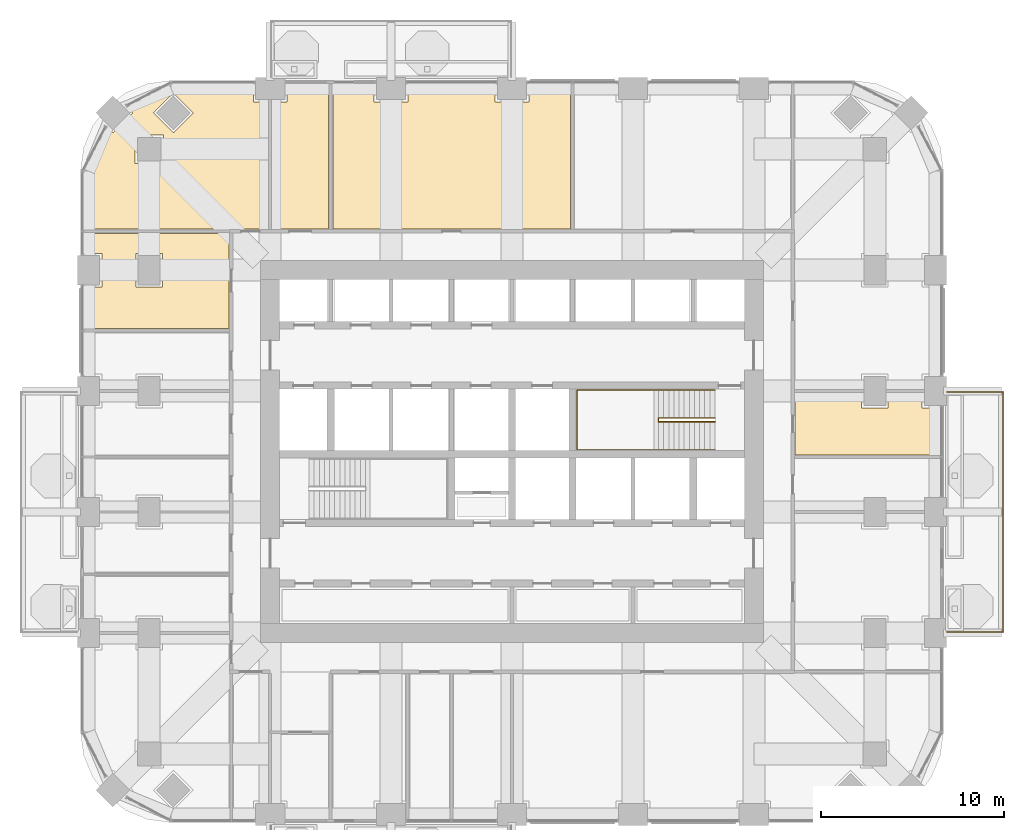
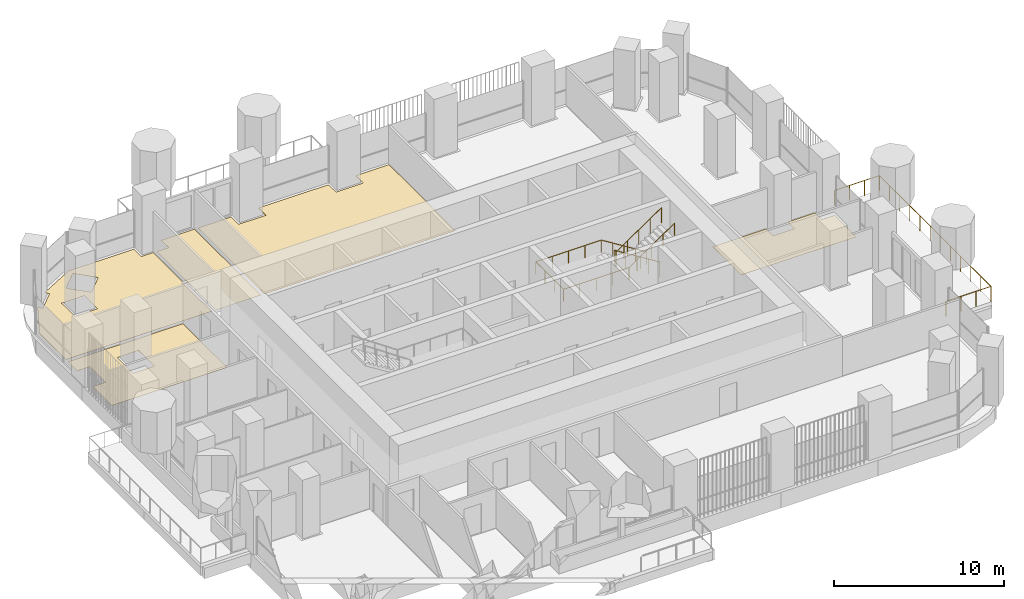
# One storey, part 17 of 19: 5 coverings, 3 railings.
"""IFC4 building model written with IfcOpenShell, lengths in metres."""

from ifc_helpers import new_model, si_unit, direction, frame, origin, place, context, subcontext, project, spatial, polyline, outline, extrude, material, layer, layer_set, type_object, element, save


model = new_model("IFC4")

# Units and contexts
model_context = context("Model", 3, precision=1e-05, world=origin(), true_north=direction((0.0, 1.0)))
body_context = subcontext(model_context, "Body", "Model", "MODEL_VIEW")
ifc_project = project(units=[si_unit("LENGTHUNIT", "METRE"), si_unit("AREAUNIT", "SQUARE_METRE"), si_unit("VOLUMEUNIT", "CUBIC_METRE"), si_unit("PLANEANGLEUNIT", "RADIAN"), si_unit("MASSUNIT", "GRAM", prefix="KILO")], contexts=[model_context])

# Site, building, storey
site_placement = place(None, origin())
site = spatial("IfcSite", under=ifc_project, at=site_placement, CompositionType="ELEMENT")
building_placement = place(site_placement, origin())
building = spatial("IfcBuilding", under=site, at=building_placement, Name="Cobogo Forest Laboratory Tower", CompositionType="ELEMENT")
storey_placement = place(building_placement, frame((0.0, 0.0, 159.89990234375)))
storey = spatial("IfcBuildingStorey", under=building, at=storey_placement, Name="L36", CompositionType="ELEMENT", Elevation=159.89990234375)

# Railing
ifc_material_1 = material(Name="Laminated glass balustrade", Category="glass")
railing_type_1 = type_object("IfcRailingType", Name="BG1 glass balustrade 1100", PredefinedType="GUARDRAIL", material=ifc_material_1)
railing_1_placement = place(storey_placement, frame((50.14990234375, 13.25, 0.0)))
element("IfcRailing", 1, at=railing_1_placement, inside=storey, type_object=railing_type_1, Name="Balcony balustrade BAL-E1 L36", PredefinedType="GUARDRAIL", context=body_context, shape_type="SweptSolid", body=[
    extrude(outline(polyline([(0.022216796875, 0.00927734375), (0.00927734375, 0.022216796875), (-0.00927734375, 0.022216796875), (-0.022216796875, 0.00927734375), (-0.022216796875, -0.00927734375), (-0.00927734375, -0.022216796875), (0.00927734375, -0.022216796875), (0.022216796875, -0.00927734375), (0.022216796875, 0.00927734375)])), frame((0.0, 0.0, 1.077880859375), z_axis=(1.0, 0.0, 0.0), x_axis=(0.0, 1.0, 0.0)), (0.0, 0.0, 1.0), 3.050048828125),
    extrude(outline(polyline([(0.022216796875, 0.00927734375), (0.00927734375, 0.022216796875), (-0.00927734375, 0.022216796875), (-0.022216796875, 0.00927734375), (-0.022216796875, -0.00927734375), (-0.00927734375, -0.022216796875), (0.00927734375, -0.022216796875), (0.022216796875, -0.00927734375), (0.022216796875, 0.00927734375)])), frame((3.050048828125, 0.0, 1.077880859375), z_axis=(0.0, 1.0, 0.0), x_axis=(-1.0, 0.0, 0.0)), (0.0, 0.0, 1.0), 13.10009765625),
    extrude(outline(polyline([(0.022216796875, 0.00927734375), (0.00927734375, 0.022216796875), (-0.00927734375, 0.022216796875), (-0.022216796875, 0.00927734375), (-0.022216796875, -0.00927734375), (-0.00927734375, -0.022216796875), (0.00927734375, -0.022216796875), (0.022216796875, -0.00927734375), (0.022216796875, 0.00927734375)])), frame((3.050048828125, 13.10009765625, 1.077880859375), z_axis=(-1.0, 0.0, 0.0), x_axis=(0.0, -1.0, 0.0)), (0.0, 0.0, 1.0), 3.050048828125),
    extrude(outline(polyline([(0.019287109375, 0.008056640625), (0.008056640625, 0.019287109375), (-0.008056640625, 0.019287109375), (-0.019287109375, 0.008056640625), (-0.019287109375, -0.008056640625), (-0.008056640625, -0.019287109375), (0.008056640625, -0.019287109375), (0.019287109375, -0.008056640625), (0.019287109375, 0.008056640625)])), origin(), (0.0, 0.0, 1.0), 1.077880859375),
    extrude(outline(polyline([(0.019287109375, 0.008056640625), (0.008056640625, 0.019287109375), (-0.008056640625, 0.019287109375), (-0.019287109375, 0.008056640625), (-0.019287109375, -0.008056640625), (-0.008056640625, -0.019287109375), (0.008056640625, -0.019287109375), (0.019287109375, -0.008056640625), (0.019287109375, 0.008056640625)])), frame((1.0166015625, 0.0, 0.0)), (0.0, 0.0, 1.0), 1.077880859375),
    extrude(outline(polyline([(0.019287109375, 0.008056640625), (0.008056640625, 0.019287109375), (-0.008056640625, 0.019287109375), (-0.019287109375, 0.008056640625), (-0.019287109375, -0.008056640625), (-0.008056640625, -0.019287109375), (0.008056640625, -0.019287109375), (0.019287109375, -0.008056640625), (0.019287109375, 0.008056640625)])), frame((2.033447265625, 0.0, 0.0)), (0.0, 0.0, 1.0), 1.077880859375),
    extrude(outline(polyline([(0.019287109375, 0.008056640625), (0.008056640625, 0.019287109375), (-0.008056640625, 0.019287109375), (-0.019287109375, 0.008056640625), (-0.019287109375, -0.008056640625), (-0.008056640625, -0.019287109375), (0.008056640625, -0.019287109375), (0.019287109375, -0.008056640625), (0.019287109375, 0.008056640625)])), frame((3.050048828125, 0.0, 0.0)), (0.0, 0.0, 1.0), 1.077880859375),
    extrude(outline(polyline([(0.019287109375, 0.008056640625), (0.008056640625, 0.019287109375), (-0.008056640625, 0.019287109375), (-0.019287109375, 0.008056640625), (-0.019287109375, -0.008056640625), (-0.008056640625, -0.019287109375), (0.008056640625, -0.019287109375), (0.019287109375, -0.008056640625), (0.019287109375, 0.008056640625)])), frame((3.050048828125, 1.19091796875, 0.0)), (0.0, 0.0, 1.0), 1.077880859375),
    extrude(outline(polyline([(0.019287109375, 0.008056640625), (0.008056640625, 0.019287109375), (-0.008056640625, 0.019287109375), (-0.019287109375, 0.008056640625), (-0.019287109375, -0.008056640625), (-0.008056640625, -0.019287109375), (0.008056640625, -0.019287109375), (0.019287109375, -0.008056640625), (0.019287109375, 0.008056640625)])), frame((3.050048828125, 2.3818359375, 0.0)), (0.0, 0.0, 1.0), 1.077880859375),
    extrude(outline(polyline([(0.019287109375, 0.008056640625), (0.008056640625, 0.019287109375), (-0.008056640625, 0.019287109375), (-0.019287109375, 0.008056640625), (-0.019287109375, -0.008056640625), (-0.008056640625, -0.019287109375), (0.008056640625, -0.019287109375), (0.019287109375, -0.008056640625), (0.019287109375, 0.008056640625)])), frame((3.050048828125, 3.57275390625, 0.0)), (0.0, 0.0, 1.0), 1.077880859375),
    extrude(outline(polyline([(0.019287109375, 0.008056640625), (0.008056640625, 0.019287109375), (-0.008056640625, 0.019287109375), (-0.019287109375, 0.008056640625), (-0.019287109375, -0.008056640625), (-0.008056640625, -0.019287109375), (0.008056640625, -0.019287109375), (0.019287109375, -0.008056640625), (0.019287109375, 0.008056640625)])), frame((3.050048828125, 4.763671875, 0.0)), (0.0, 0.0, 1.0), 1.077880859375),
    extrude(outline(polyline([(0.019287109375, 0.008056640625), (0.008056640625, 0.019287109375), (-0.008056640625, 0.019287109375), (-0.019287109375, 0.008056640625), (-0.019287109375, -0.008056640625), (-0.008056640625, -0.019287109375), (0.008056640625, -0.019287109375), (0.019287109375, -0.008056640625), (0.019287109375, 0.008056640625)])), frame((3.050048828125, 5.95458984375, 0.0)), (0.0, 0.0, 1.0), 1.077880859375),
    extrude(outline(polyline([(0.019287109375, 0.008056640625), (0.008056640625, 0.019287109375), (-0.008056640625, 0.019287109375), (-0.019287109375, 0.008056640625), (-0.019287109375, -0.008056640625), (-0.008056640625, -0.019287109375), (0.008056640625, -0.019287109375), (0.019287109375, -0.008056640625), (0.019287109375, 0.008056640625)])), frame((3.050048828125, 7.1455078125, 0.0)), (0.0, 0.0, 1.0), 1.077880859375),
    extrude(outline(polyline([(0.019287109375, 0.008056640625), (0.008056640625, 0.019287109375), (-0.008056640625, 0.019287109375), (-0.019287109375, 0.008056640625), (-0.019287109375, -0.008056640625), (-0.008056640625, -0.019287109375), (0.008056640625, -0.019287109375), (0.019287109375, -0.008056640625), (0.019287109375, 0.008056640625)])), frame((3.050048828125, 8.33642578125, 0.0)), (0.0, 0.0, 1.0), 1.077880859375),
    extrude(outline(polyline([(0.019287109375, 0.008056640625), (0.008056640625, 0.019287109375), (-0.008056640625, 0.019287109375), (-0.019287109375, 0.008056640625), (-0.019287109375, -0.008056640625), (-0.008056640625, -0.019287109375), (0.008056640625, -0.019287109375), (0.019287109375, -0.008056640625), (0.019287109375, 0.008056640625)])), frame((3.050048828125, 9.52734375, 0.0)), (0.0, 0.0, 1.0), 1.077880859375),
    extrude(outline(polyline([(0.019287109375, 0.008056640625), (0.008056640625, 0.019287109375), (-0.008056640625, 0.019287109375), (-0.019287109375, 0.008056640625), (-0.019287109375, -0.008056640625), (-0.008056640625, -0.019287109375), (0.008056640625, -0.019287109375), (0.019287109375, -0.008056640625), (0.019287109375, 0.008056640625)])), frame((3.050048828125, 10.71826171875, 0.0)), (0.0, 0.0, 1.0), 1.077880859375),
    extrude(outline(polyline([(0.019287109375, 0.008056640625), (0.008056640625, 0.019287109375), (-0.008056640625, 0.019287109375), (-0.019287109375, 0.008056640625), (-0.019287109375, -0.008056640625), (-0.008056640625, -0.019287109375), (0.008056640625, -0.019287109375), (0.019287109375, -0.008056640625), (0.019287109375, 0.008056640625)])), frame((3.050048828125, 11.9091796875, 0.0)), (0.0, 0.0, 1.0), 1.077880859375),
    extrude(outline(polyline([(0.019287109375, 0.008056640625), (0.008056640625, 0.019287109375), (-0.008056640625, 0.019287109375), (-0.019287109375, 0.008056640625), (-0.019287109375, -0.008056640625), (-0.008056640625, -0.019287109375), (0.008056640625, -0.019287109375), (0.019287109375, -0.008056640625), (0.019287109375, 0.008056640625)])), frame((3.050048828125, 13.10009765625, 0.0)), (0.0, 0.0, 1.0), 1.077880859375),
    extrude(outline(polyline([(0.019287109375, 0.008056640625), (0.008056640625, 0.019287109375), (-0.008056640625, 0.019287109375), (-0.019287109375, 0.008056640625), (-0.019287109375, -0.008056640625), (-0.008056640625, -0.019287109375), (0.008056640625, -0.019287109375), (0.019287109375, -0.008056640625), (0.019287109375, 0.008056640625)])), frame((2.033447265625, 13.10009765625, 0.0)), (0.0, 0.0, 1.0), 1.077880859375),
    extrude(outline(polyline([(0.019287109375, 0.008056640625), (0.008056640625, 0.019287109375), (-0.008056640625, 0.019287109375), (-0.019287109375, 0.008056640625), (-0.019287109375, -0.008056640625), (-0.008056640625, -0.019287109375), (0.008056640625, -0.019287109375), (0.019287109375, -0.008056640625), (0.019287109375, 0.008056640625)])), frame((1.0166015625, 13.10009765625, 0.0)), (0.0, 0.0, 1.0), 1.077880859375),
    extrude(outline(polyline([(0.019287109375, 0.008056640625), (0.008056640625, 0.019287109375), (-0.008056640625, 0.019287109375), (-0.019287109375, 0.008056640625), (-0.019287109375, -0.008056640625), (-0.008056640625, -0.019287109375), (0.008056640625, -0.019287109375), (0.019287109375, -0.008056640625), (0.019287109375, 0.008056640625)])), frame((0.0, 13.10009765625, 0.0)), (0.0, 0.0, 1.0), 1.077880859375),
])

# Coverings
ifc_material_2 = material(Name="Carpet tile on raised access floor", Category="flooring")
ifc_layer_1 = layer(ifc_material_2, 0.008056640625)
ifc_layer_set_1 = layer_set([ifc_layer_1], Name="CT1 carpet tile floor 8")
covering_type_1 = type_object("IfcCoveringType", Name="CT1 carpet tile floor 8", PredefinedType="FLOORING", material=ifc_layer_set_1)
covering_1_placement = place(storey_placement, origin())
element("IfcCovering", 2, at=covering_1_placement, inside=storey, type_object=covering_type_1, Name="Carpet floor L36-11", PredefinedType="FLOORING", context=body_context, shape_type="SweptSolid", body=[
    extrude(outline(polyline([(3.14990234375, 35.2451171875), (3.14990234375, 38.350830078125), (4.3916015625, 40.719482421875), (4.617919921875, 40.492919921875), (5.70703125, 41.58203125), (5.480712890625, 41.808349609375), (7.84912109375, 43.050048828125), (12.280029296875, 43.050048828125), (12.280029296875, 42.179931640625), (13.080078125, 42.179931640625), (13.080078125, 35.2451171875), (3.14990234375, 35.2451171875)]), holes=[polyline([(7.91796875, 40.492919921875), (9.007080078125, 41.58203125), (7.91796875, 42.6708984375), (6.8291015625, 41.58203125), (7.91796875, 40.492919921875)]), polyline([(5.830078125, 38.830078125), (7.3701171875, 38.830078125), (7.3701171875, 40.3701171875), (5.830078125, 40.3701171875), (5.830078125, 38.830078125)])]), origin(), (0.0, 0.0, 1.0), 0.008056640625),
])
covering_2_placement = place(storey_placement, origin())
element("IfcCovering", 3, at=covering_2_placement, inside=storey, type_object=covering_type_1, Name="Carpet floor L36-13", PredefinedType="FLOORING", context=body_context, shape_type="SweptSolid", body=[
    extrude(outline(polyline([(16.6201171875, 35.2451171875), (16.6201171875, 43.050048828125), (18.8798828125, 43.050048828125), (18.8798828125, 42.179931640625), (20.719970703125, 42.179931640625), (20.719970703125, 43.050048828125), (25.47998046875, 43.050048828125), (25.47998046875, 42.179931640625), (27.320068359375, 42.179931640625), (27.320068359375, 43.050048828125), (29.580078125, 43.050048828125), (29.580078125, 35.2451171875), (16.6201171875, 35.2451171875)])), origin(), (0.0, 0.0, 1.0), 0.008056640625),
])

# Railings
ifc_material_3 = material(Name="Steel balustrade", Category="steel")
railing_type_2 = type_object("IfcRailingType", Name="GR stair guard 1100", PredefinedType="GUARDRAIL", material=ifc_material_3)
railing_2_placement = place(storey_placement, frame((37.47509765625, 24.929931640625, 0.175048828125)))
element("IfcRailing", 4, at=railing_2_placement, inside=storey, type_object=railing_type_2, Name="Stair guard ST2 L36", PredefinedType="GUARDRAIL", context=body_context, shape_type="SweptSolid", body=[
    extrude(outline(polyline([(0.022216796875, 0.00927734375), (0.00927734375, 0.022216796875), (-0.00927734375, 0.022216796875), (-0.022216796875, 0.00927734375), (-0.022216796875, -0.00927734375), (-0.00927734375, -0.022216796875), (0.00927734375, -0.022216796875), (0.022216796875, -0.00927734375), (0.022216796875, 0.00927734375)])), frame((0.0, 0.0, 1.077880859375), z_axis=(-0.847998304005, 0.0, 0.529998940003), x_axis=(0.0, -1.0, 0.0)), (0.0, 0.0, 1.0), 3.632080078125),
    extrude(outline(polyline([(0.022216796875, 0.00927734375), (0.00927734375, 0.022216796875), (-0.00927734375, 0.022216796875), (-0.022216796875, 0.00927734375), (-0.022216796875, -0.00927734375), (-0.00927734375, -0.022216796875), (0.00927734375, -0.022216796875), (0.022216796875, -0.00927734375), (0.022216796875, 0.00927734375)])), frame((-3.080078125, 0.0, 3.0029296875), z_axis=(0.0, -1.0, 0.0), x_axis=(1.0, 0.0, 0.0)), (0.0, 0.0, 1.0), 0.2099609375),
    extrude(outline(polyline([(0.022216796875, 0.00927734375), (0.00927734375, 0.022216796875), (-0.00927734375, 0.022216796875), (-0.022216796875, 0.00927734375), (-0.022216796875, -0.00927734375), (-0.00927734375, -0.022216796875), (0.00927734375, -0.022216796875), (0.022216796875, -0.00927734375), (0.022216796875, 0.00927734375)])), frame((-3.080078125, -0.2099609375, 3.0029296875), z_axis=(0.826221800596, 0.0, 0.563344953133), x_axis=(0.0, 1.0, 0.0)), (0.0, 0.0, 1.0), 3.72802734375),
    extrude(outline(polyline([(0.019287109375, 0.008056640625), (0.008056640625, 0.019287109375), (-0.008056640625, 0.019287109375), (-0.019287109375, 0.008056640625), (-0.019287109375, -0.008056640625), (-0.008056640625, -0.019287109375), (0.008056640625, -0.019287109375), (0.019287109375, -0.008056640625), (0.019287109375, 0.008056640625)])), origin(), (0.0, 0.0, 1.0), 1.077880859375),
    extrude(outline(polyline([(0.019287109375, 0.008056640625), (0.008056640625, 0.019287109375), (-0.008056640625, 0.019287109375), (-0.019287109375, 0.008056640625), (-0.019287109375, -0.008056640625), (-0.008056640625, -0.019287109375), (0.008056640625, -0.019287109375), (0.019287109375, -0.008056640625), (0.019287109375, 0.008056640625)])), frame((-0.77001953125, 0.0, 0.481201171875)), (0.0, 0.0, 1.0), 1.077880859375),
    extrude(outline(polyline([(0.019287109375, 0.008056640625), (0.008056640625, 0.019287109375), (-0.008056640625, 0.019287109375), (-0.019287109375, 0.008056640625), (-0.019287109375, -0.008056640625), (-0.008056640625, -0.019287109375), (0.008056640625, -0.019287109375), (0.019287109375, -0.008056640625), (0.019287109375, 0.008056640625)])), frame((-1.5400390625, 0.0, 0.96240234375)), (0.0, 0.0, 1.0), 1.077880859375),
    extrude(outline(polyline([(0.019287109375, 0.008056640625), (0.008056640625, 0.019287109375), (-0.008056640625, 0.019287109375), (-0.019287109375, 0.008056640625), (-0.019287109375, -0.008056640625), (-0.008056640625, -0.019287109375), (0.008056640625, -0.019287109375), (0.019287109375, -0.008056640625), (0.019287109375, 0.008056640625)])), frame((-2.31005859375, 0.0, 1.44384765625)), (0.0, 0.0, 1.0), 1.077880859375),
    extrude(outline(polyline([(0.019287109375, 0.008056640625), (0.008056640625, 0.019287109375), (-0.008056640625, 0.019287109375), (-0.019287109375, 0.008056640625), (-0.019287109375, -0.008056640625), (-0.008056640625, -0.019287109375), (0.008056640625, -0.019287109375), (0.019287109375, -0.008056640625), (0.019287109375, 0.008056640625)])), frame((-3.080078125, 0.0, 1.925048828125)), (0.0, 0.0, 1.0), 1.077880859375),
    extrude(outline(polyline([(0.019287109375, 0.008056640625), (0.008056640625, 0.019287109375), (-0.008056640625, 0.019287109375), (-0.019287109375, 0.008056640625), (-0.019287109375, -0.008056640625), (-0.008056640625, -0.019287109375), (0.008056640625, -0.019287109375), (0.019287109375, -0.008056640625), (0.019287109375, 0.008056640625)])), frame((-3.080078125, -0.2099609375, 1.925048828125)), (0.0, 0.0, 1.0), 1.077880859375),
    extrude(outline(polyline([(0.019287109375, 0.008056640625), (0.008056640625, 0.019287109375), (-0.008056640625, 0.019287109375), (-0.019287109375, 0.008056640625), (-0.019287109375, -0.008056640625), (-0.008056640625, -0.019287109375), (0.008056640625, -0.019287109375), (0.019287109375, -0.008056640625), (0.019287109375, 0.008056640625)])), frame((-2.31005859375, -0.2099609375, 2.4501953125)), (0.0, 0.0, 1.0), 1.077880859375),
    extrude(outline(polyline([(0.019287109375, 0.008056640625), (0.008056640625, 0.019287109375), (-0.008056640625, 0.019287109375), (-0.019287109375, 0.008056640625), (-0.019287109375, -0.008056640625), (-0.008056640625, -0.019287109375), (0.008056640625, -0.019287109375), (0.019287109375, -0.008056640625), (0.019287109375, 0.008056640625)])), frame((-1.5400390625, -0.2099609375, 2.97509765625)), (0.0, 0.0, 1.0), 1.077880859375),
    extrude(outline(polyline([(0.019287109375, 0.008056640625), (0.008056640625, 0.019287109375), (-0.008056640625, 0.019287109375), (-0.019287109375, 0.008056640625), (-0.019287109375, -0.008056640625), (-0.008056640625, -0.019287109375), (0.008056640625, -0.019287109375), (0.019287109375, -0.008056640625), (0.019287109375, 0.008056640625)])), frame((-0.77001953125, -0.2099609375, 3.5)), (0.0, 0.0, 1.0), 1.077880859375),
    extrude(outline(polyline([(0.019287109375, 0.008056640625), (0.008056640625, 0.019287109375), (-0.008056640625, 0.019287109375), (-0.019287109375, 0.008056640625), (-0.019287109375, -0.008056640625), (-0.008056640625, -0.019287109375), (0.008056640625, -0.019287109375), (0.019287109375, -0.008056640625), (0.019287109375, 0.008056640625)])), frame((0.0, -0.2099609375, 4.025146484375)), (0.0, 0.0, 1.0), 1.077880859375),
])
ifc_material_4 = material(Name="Stainless steel handrail", Category="steel")
railing_type_3 = type_object("IfcRailingType", Name="HR handrail 900", PredefinedType="HANDRAIL", material=ifc_material_4)
railing_3_placement = place(storey_placement, frame((37.47509765625, 26.449951171875, 0.175048828125)))
element("IfcRailing", 5, at=railing_3_placement, inside=storey, type_object=railing_type_3, Name="Stair handrail ST2 L36", PredefinedType="HANDRAIL", context=body_context, shape_type="SweptSolid", body=[
    extrude(outline(polyline([(0.022216796875, 0.00927734375), (0.00927734375, 0.022216796875), (-0.00927734375, 0.022216796875), (-0.022216796875, 0.00927734375), (-0.022216796875, -0.00927734375), (-0.00927734375, -0.022216796875), (0.00927734375, -0.022216796875), (0.022216796875, -0.00927734375), (0.022216796875, 0.00927734375)])), frame((0.0, 0.0, 0.877685546875), z_axis=(-0.847998304005, 0.0, 0.529998940003), x_axis=(0.0, -1.0, 0.0)), (0.0, 0.0, 1.0), 3.632080078125),
    extrude(outline(polyline([(0.022216796875, 0.00927734375), (0.00927734375, 0.022216796875), (-0.00927734375, 0.022216796875), (-0.022216796875, 0.00927734375), (-0.022216796875, -0.00927734375), (-0.00927734375, -0.022216796875), (0.00927734375, -0.022216796875), (0.022216796875, -0.00927734375), (0.022216796875, 0.00927734375)])), frame((-3.080078125, 0.0, 2.802734375), z_axis=(-1.0, 0.0, 0.0), x_axis=(0.0, -1.0, 0.0)), (0.0, 0.0, 1.0), 4.445068359375),
    extrude(outline(polyline([(0.022216796875, 0.00927734375), (0.00927734375, 0.022216796875), (-0.00927734375, 0.022216796875), (-0.022216796875, 0.00927734375), (-0.022216796875, -0.00927734375), (-0.00927734375, -0.022216796875), (0.00927734375, -0.022216796875), (0.022216796875, -0.00927734375), (0.022216796875, 0.00927734375)])), frame((-7.525146484375, 0.0, 2.802734375), z_axis=(0.0, -1.0, 0.0), x_axis=(1.0, 0.0, 0.0)), (0.0, 0.0, 1.0), 3.25),
    extrude(outline(polyline([(0.022216796875, 0.00927734375), (0.00927734375, 0.022216796875), (-0.00927734375, 0.022216796875), (-0.022216796875, 0.00927734375), (-0.022216796875, -0.00927734375), (-0.00927734375, -0.022216796875), (0.00927734375, -0.022216796875), (0.022216796875, -0.00927734375), (0.022216796875, 0.00927734375)])), frame((-7.525146484375, -3.25, 2.802734375), z_axis=(1.0, 0.0, 0.0), x_axis=(0.0, 1.0, 0.0)), (0.0, 0.0, 1.0), 4.445068359375),
    extrude(outline(polyline([(0.022216796875, 0.00927734375), (0.00927734375, 0.022216796875), (-0.00927734375, 0.022216796875), (-0.022216796875, 0.00927734375), (-0.022216796875, -0.00927734375), (-0.00927734375, -0.022216796875), (0.00927734375, -0.022216796875), (0.022216796875, -0.00927734375), (0.022216796875, 0.00927734375)])), frame((-3.080078125, -3.25, 2.802734375), z_axis=(0.826221800596, 0.0, 0.563344953133), x_axis=(0.0, 1.0, 0.0)), (0.0, 0.0, 1.0), 3.72802734375),
    extrude(outline(polyline([(0.019287109375, 0.008056640625), (0.008056640625, 0.019287109375), (-0.008056640625, 0.019287109375), (-0.019287109375, 0.008056640625), (-0.019287109375, -0.008056640625), (-0.008056640625, -0.019287109375), (0.008056640625, -0.019287109375), (0.019287109375, -0.008056640625), (0.019287109375, 0.008056640625)])), origin(), (0.0, 0.0, 1.0), 0.877685546875),
    extrude(outline(polyline([(0.019287109375, 0.008056640625), (0.008056640625, 0.019287109375), (-0.008056640625, 0.019287109375), (-0.019287109375, 0.008056640625), (-0.019287109375, -0.008056640625), (-0.008056640625, -0.019287109375), (0.008056640625, -0.019287109375), (0.019287109375, -0.008056640625), (0.019287109375, 0.008056640625)])), frame((-0.77001953125, 0.0, 0.481201171875)), (0.0, 0.0, 1.0), 0.877685546875),
    extrude(outline(polyline([(0.019287109375, 0.008056640625), (0.008056640625, 0.019287109375), (-0.008056640625, 0.019287109375), (-0.019287109375, 0.008056640625), (-0.019287109375, -0.008056640625), (-0.008056640625, -0.019287109375), (0.008056640625, -0.019287109375), (0.019287109375, -0.008056640625), (0.019287109375, 0.008056640625)])), frame((-1.5400390625, 0.0, 0.96240234375)), (0.0, 0.0, 1.0), 0.877685546875),
    extrude(outline(polyline([(0.019287109375, 0.008056640625), (0.008056640625, 0.019287109375), (-0.008056640625, 0.019287109375), (-0.019287109375, 0.008056640625), (-0.019287109375, -0.008056640625), (-0.008056640625, -0.019287109375), (0.008056640625, -0.019287109375), (0.019287109375, -0.008056640625), (0.019287109375, 0.008056640625)])), frame((-2.31005859375, 0.0, 1.44384765625)), (0.0, 0.0, 1.0), 0.877685546875),
    extrude(outline(polyline([(0.019287109375, 0.008056640625), (0.008056640625, 0.019287109375), (-0.008056640625, 0.019287109375), (-0.019287109375, 0.008056640625), (-0.019287109375, -0.008056640625), (-0.008056640625, -0.019287109375), (0.008056640625, -0.019287109375), (0.019287109375, -0.008056640625), (0.019287109375, 0.008056640625)])), frame((-3.080078125, 0.0, 1.925048828125)), (0.0, 0.0, 1.0), 0.877685546875),
    extrude(outline(polyline([(0.019287109375, 0.008056640625), (0.008056640625, 0.019287109375), (-0.008056640625, 0.019287109375), (-0.019287109375, 0.008056640625), (-0.019287109375, -0.008056640625), (-0.008056640625, -0.019287109375), (0.008056640625, -0.019287109375), (0.019287109375, -0.008056640625), (0.019287109375, 0.008056640625)])), frame((-4.19140625, 0.0, 1.925048828125)), (0.0, 0.0, 1.0), 0.877685546875),
    extrude(outline(polyline([(0.019287109375, 0.008056640625), (0.008056640625, 0.019287109375), (-0.008056640625, 0.019287109375), (-0.019287109375, 0.008056640625), (-0.019287109375, -0.008056640625), (-0.008056640625, -0.019287109375), (0.008056640625, -0.019287109375), (0.019287109375, -0.008056640625), (0.019287109375, 0.008056640625)])), frame((-5.302734375, 0.0, 1.925048828125)), (0.0, 0.0, 1.0), 0.877685546875),
    extrude(outline(polyline([(0.019287109375, 0.008056640625), (0.008056640625, 0.019287109375), (-0.008056640625, 0.019287109375), (-0.019287109375, 0.008056640625), (-0.019287109375, -0.008056640625), (-0.008056640625, -0.019287109375), (0.008056640625, -0.019287109375), (0.019287109375, -0.008056640625), (0.019287109375, 0.008056640625)])), frame((-6.413818359375, 0.0, 1.925048828125)), (0.0, 0.0, 1.0), 0.877685546875),
    extrude(outline(polyline([(0.019287109375, 0.008056640625), (0.008056640625, 0.019287109375), (-0.008056640625, 0.019287109375), (-0.019287109375, 0.008056640625), (-0.019287109375, -0.008056640625), (-0.008056640625, -0.019287109375), (0.008056640625, -0.019287109375), (0.019287109375, -0.008056640625), (0.019287109375, 0.008056640625)])), frame((-7.525146484375, 0.0, 1.925048828125)), (0.0, 0.0, 1.0), 0.877685546875),
    extrude(outline(polyline([(0.019287109375, 0.008056640625), (0.008056640625, 0.019287109375), (-0.008056640625, 0.019287109375), (-0.019287109375, 0.008056640625), (-0.019287109375, -0.008056640625), (-0.008056640625, -0.019287109375), (0.008056640625, -0.019287109375), (0.019287109375, -0.008056640625), (0.019287109375, 0.008056640625)])), frame((-7.525146484375, -1.083251953125, 1.925048828125)), (0.0, 0.0, 1.0), 0.877685546875),
    extrude(outline(polyline([(0.019287109375, 0.008056640625), (0.008056640625, 0.019287109375), (-0.008056640625, 0.019287109375), (-0.019287109375, 0.008056640625), (-0.019287109375, -0.008056640625), (-0.008056640625, -0.019287109375), (0.008056640625, -0.019287109375), (0.019287109375, -0.008056640625), (0.019287109375, 0.008056640625)])), frame((-7.525146484375, -2.166748046875, 1.925048828125)), (0.0, 0.0, 1.0), 0.877685546875),
    extrude(outline(polyline([(0.019287109375, 0.008056640625), (0.008056640625, 0.019287109375), (-0.008056640625, 0.019287109375), (-0.019287109375, 0.008056640625), (-0.019287109375, -0.008056640625), (-0.008056640625, -0.019287109375), (0.008056640625, -0.019287109375), (0.019287109375, -0.008056640625), (0.019287109375, 0.008056640625)])), frame((-7.525146484375, -3.25, 1.925048828125)), (0.0, 0.0, 1.0), 0.877685546875),
    extrude(outline(polyline([(0.019287109375, 0.008056640625), (0.008056640625, 0.019287109375), (-0.008056640625, 0.019287109375), (-0.019287109375, 0.008056640625), (-0.019287109375, -0.008056640625), (-0.008056640625, -0.019287109375), (0.008056640625, -0.019287109375), (0.019287109375, -0.008056640625), (0.019287109375, 0.008056640625)])), frame((-6.413818359375, -3.25, 1.925048828125)), (0.0, 0.0, 1.0), 0.877685546875),
    extrude(outline(polyline([(0.019287109375, 0.008056640625), (0.008056640625, 0.019287109375), (-0.008056640625, 0.019287109375), (-0.019287109375, 0.008056640625), (-0.019287109375, -0.008056640625), (-0.008056640625, -0.019287109375), (0.008056640625, -0.019287109375), (0.019287109375, -0.008056640625), (0.019287109375, 0.008056640625)])), frame((-5.302734375, -3.25, 1.925048828125)), (0.0, 0.0, 1.0), 0.877685546875),
    extrude(outline(polyline([(0.019287109375, 0.008056640625), (0.008056640625, 0.019287109375), (-0.008056640625, 0.019287109375), (-0.019287109375, 0.008056640625), (-0.019287109375, -0.008056640625), (-0.008056640625, -0.019287109375), (0.008056640625, -0.019287109375), (0.019287109375, -0.008056640625), (0.019287109375, 0.008056640625)])), frame((-4.19140625, -3.25, 1.925048828125)), (0.0, 0.0, 1.0), 0.877685546875),
    extrude(outline(polyline([(0.019287109375, 0.008056640625), (0.008056640625, 0.019287109375), (-0.008056640625, 0.019287109375), (-0.019287109375, 0.008056640625), (-0.019287109375, -0.008056640625), (-0.008056640625, -0.019287109375), (0.008056640625, -0.019287109375), (0.019287109375, -0.008056640625), (0.019287109375, 0.008056640625)])), frame((-3.080078125, -3.25, 1.925048828125)), (0.0, 0.0, 1.0), 0.877685546875),
    extrude(outline(polyline([(0.019287109375, 0.008056640625), (0.008056640625, 0.019287109375), (-0.008056640625, 0.019287109375), (-0.019287109375, 0.008056640625), (-0.019287109375, -0.008056640625), (-0.008056640625, -0.019287109375), (0.008056640625, -0.019287109375), (0.019287109375, -0.008056640625), (0.019287109375, 0.008056640625)])), frame((-2.31005859375, -3.25, 2.4501953125)), (0.0, 0.0, 1.0), 0.877685546875),
    extrude(outline(polyline([(0.019287109375, 0.008056640625), (0.008056640625, 0.019287109375), (-0.008056640625, 0.019287109375), (-0.019287109375, 0.008056640625), (-0.019287109375, -0.008056640625), (-0.008056640625, -0.019287109375), (0.008056640625, -0.019287109375), (0.019287109375, -0.008056640625), (0.019287109375, 0.008056640625)])), frame((-1.5400390625, -3.25, 2.97509765625)), (0.0, 0.0, 1.0), 0.877685546875),
    extrude(outline(polyline([(0.019287109375, 0.008056640625), (0.008056640625, 0.019287109375), (-0.008056640625, 0.019287109375), (-0.019287109375, 0.008056640625), (-0.019287109375, -0.008056640625), (-0.008056640625, -0.019287109375), (0.008056640625, -0.019287109375), (0.019287109375, -0.008056640625), (0.019287109375, 0.008056640625)])), frame((-0.77001953125, -3.25, 3.5)), (0.0, 0.0, 1.0), 0.877685546875),
    extrude(outline(polyline([(0.019287109375, 0.008056640625), (0.008056640625, 0.019287109375), (-0.008056640625, 0.019287109375), (-0.019287109375, 0.008056640625), (-0.019287109375, -0.008056640625), (-0.008056640625, -0.019287109375), (0.008056640625, -0.019287109375), (0.019287109375, -0.008056640625), (0.019287109375, 0.008056640625)])), frame((0.0, -3.25, 4.025146484375)), (0.0, 0.0, 1.0), 0.877685546875),
])

# Coverings
ifc_material_5 = material(Name="Static-dissipative vinyl flooring", Category="flooring")
ifc_layer_2 = layer(ifc_material_5, 0.0029296875)
ifc_layer_set_2 = layer_set([ifc_layer_2], Name="SD1 static-dissipative vinyl floor 3")
covering_type_2 = type_object("IfcCoveringType", Name="SD1 static-dissipative vinyl floor 3", PredefinedType="FLOORING", material=ifc_layer_set_2)
covering_3_placement = place(storey_placement, origin())
element("IfcCovering", 6, at=covering_3_placement, inside=storey, type_object=covering_type_2, Name="Static-dissipative floor L36-09", PredefinedType="FLOORING", context=body_context, shape_type="SweptSolid", body=[
    extrude(outline(polyline([(41.844970703125, 26.280029296875), (45.47998046875, 26.280029296875), (45.47998046875, 25.47998046875), (46.919921875, 25.47998046875), (46.919921875, 26.280029296875), (48.780029296875, 26.280029296875), (48.780029296875, 25.47998046875), (49.64990234375, 25.47998046875), (49.64990234375, 22.919921875), (41.844970703125, 22.919921875), (41.844970703125, 26.280029296875)])), origin(), (0.0, 0.0, 1.0), 0.003173828125),
])
covering_4_placement = place(storey_placement, origin())
element("IfcCovering", 7, at=covering_4_placement, inside=storey, type_object=covering_type_2, Name="Static-dissipative floor L36-12", PredefinedType="FLOORING", context=body_context, shape_type="SweptSolid", body=[
    extrude(outline(polyline([(13.320068359375, 35.2451171875), (13.320068359375, 42.179931640625), (14.1201171875, 42.179931640625), (14.1201171875, 43.050048828125), (16.3798828125, 43.050048828125), (16.3798828125, 35.2451171875), (13.320068359375, 35.2451171875)])), origin(), (0.0, 0.0, 1.0), 0.003173828125),
])
covering_5_placement = place(storey_placement, origin())
element("IfcCovering", 8, at=covering_5_placement, inside=storey, type_object=covering_type_2, Name="Static-dissipative floor L36-21", PredefinedType="FLOORING", context=body_context, shape_type="SweptSolid", body=[
    extrude(outline(polyline([(10.955078125, 29.820068359375), (3.14990234375, 29.820068359375), (3.14990234375, 32.080078125), (4.02001953125, 32.080078125), (4.02001953125, 33.919921875), (3.14990234375, 33.919921875), (3.14990234375, 35.0048828125), (10.955078125, 35.0048828125), (10.955078125, 29.820068359375)]), holes=[polyline([(5.8798828125, 32.080078125), (7.320068359375, 32.080078125), (7.320068359375, 33.919921875), (5.8798828125, 33.919921875), (5.8798828125, 32.080078125)])]), origin(), (0.0, 0.0, 1.0), 0.003173828125),
])

save(model, "model.ifc")
